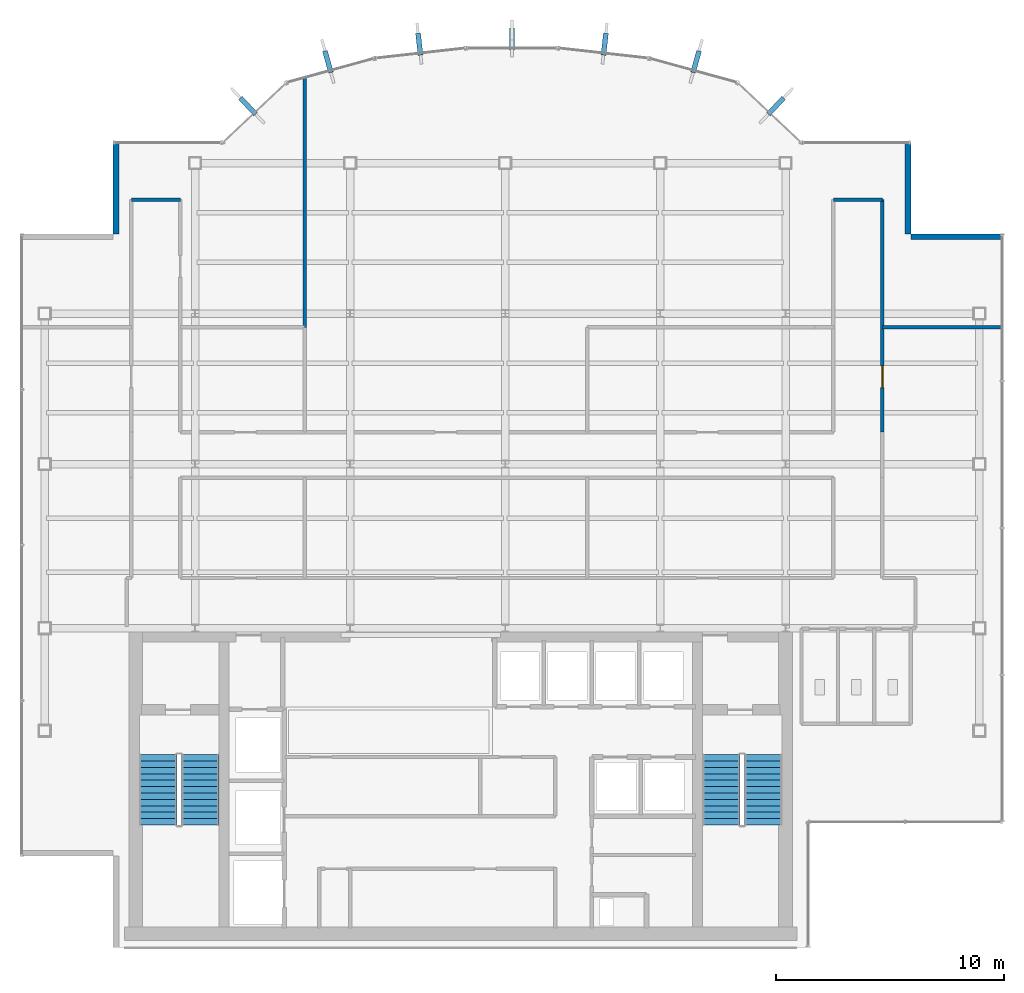
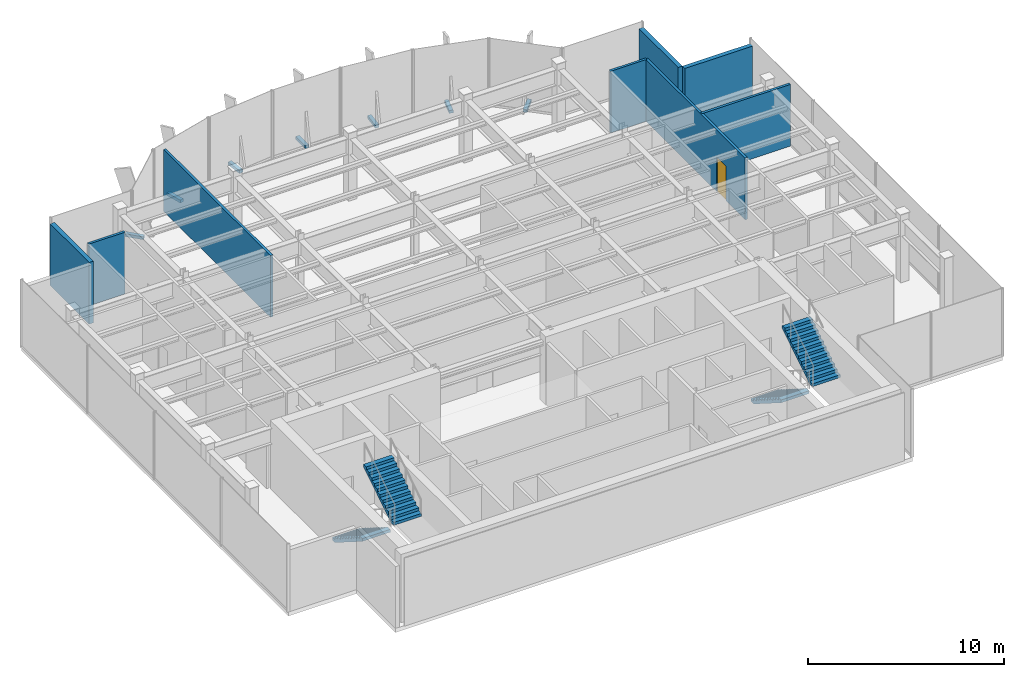
# One storey, part 21 of 24: 8 walls, 7 discrete accessories, 4 stair flights, 1 door, 1 opening, 2 elements without a shape of their own.
"""IFC4 building model written with IfcOpenShell, lengths in metres."""

from ifc_helpers import new_model, si_unit, derived_unit, direction, frame, frame_2d, origin, origin_2d, place, context, subcontext, project, spatial, polyline, rectangle, outline, extrude, source, transform, mapped, material, layer, layer_set, type_object, element, fill, aggregate, save


model = new_model("IFC4")

# Units and contexts
model_context = context("Model", 3, precision=1e-05, world=origin(), true_north=direction((0.0, 1.0)))
body_context = subcontext(model_context, "Body", "Model", "MODEL_VIEW")
ifc_project = project(units=[si_unit("LENGTHUNIT", "METRE"), si_unit("AREAUNIT", "SQUARE_METRE"), si_unit("VOLUMEUNIT", "CUBIC_METRE"), si_unit("PLANEANGLEUNIT", "RADIAN"), si_unit("MASSUNIT", "GRAM", prefix="KILO"), derived_unit("THERMALTRANSMITTANCEUNIT", [(si_unit("POWERUNIT", "WATT"), 1), (si_unit("LENGTHUNIT", "METRE"), -2), (si_unit("THERMODYNAMICTEMPERATUREUNIT", "KELVIN"), -1)])], contexts=[model_context])

# Site, building, storey
site_placement = place(None, origin())
site = spatial("IfcSite", under=ifc_project, at=site_placement, CompositionType="ELEMENT")
building_placement = place(site_placement, origin())
building = spatial("IfcBuilding", under=site, at=building_placement, Name="Skarnbrae Concourse Arena and Tower", CompositionType="ELEMENT")
storey_placement = place(building_placement, frame((0.0, 0.0, 288.0)))
storey = spatial("IfcBuildingStorey", under=building, at=storey_placement, Name="L75", CompositionType="ELEMENT", Elevation=288.0)

# Walls
ifc_material_1 = material(Name="Precast concrete 40 MPa (C40/50)", Category="concrete")
ifc_layer_1 = layer(ifc_material_1, 0.25)
ifc_layer_set_1 = layer_set([ifc_layer_1], Name="Precast concrete 40 MPa (C40/50)")
wall_type_1 = type_object("IfcWallType", Name="WALL-EXT-SPANDREL-250", PredefinedType="STANDARD", material=ifc_layer_set_1)
shared_shape_1 = source(origin(), body_context, "Body", "SweptSolid", [
    extrude(rectangle(XDim=4.0, YDim=0.25, at=frame_2d((2.0, 0.0))), origin(), (0.0, 0.0, 1.0), 3.85009765625),
])
for number, where, z_axis, x_axis, name in (
    (1, (43.0, 31.175048828125, 0.0), (0.0, 0.0, 1.0), (-1.0, 0.0, 0.0), "L75 Notched corner insulated return wall 05"),
    (2, (38.875, 31.300048828125, 0.0), (0.0, 0.0, 1.0), (0.0, 1.0, 0.0), "L75 Notched corner insulated return wall 06"),
    (3, (4.125, 35.300048828125, 0.0), (0.0, 0.0, 1.0), (0.0, -1.0, 0.0), "L75 Notched corner insulated return wall 16"),
):
    element("IfcWall", number, at=place(storey_placement, frame(where, z_axis=z_axis, x_axis=x_axis)), inside=storey, type_object=wall_type_1, Name=name, PredefinedType="STANDARD", context=body_context, shape_type="MappedRepresentation", body=[
        mapped(shared_shape_1, transform((0.0, 0.0, 0.0))),
    ])

# Wall, opening, door
ifc_material_2 = material(Name="Gypsum board on cold-formed steel studs", Category="steel")
ifc_layer_2 = layer(ifc_material_2, 0.14990234375)
ifc_layer_set_2 = layer_set([ifc_layer_2], Name="Gypsum board on cold-formed steel studs")
wall_type_2 = type_object("IfcWallType", Name="WALL-PART-150-1HR", PredefinedType="PARTITIONING", material=ifc_layer_set_2)
shared_shape_2 = source(origin(), body_context, "Body", "SweptSolid", [
    extrude(rectangle(XDim=10.199951171875, YDim=0.14990234375, at=frame_2d((5.10009765625, 0.0))), origin(), (0.0, 0.0, 1.0), 3.85009765625),
])
wall_1_placement = place(storey_placement, frame((37.75, 32.800048828125, 0.0), z_axis=(0.0, 0.0, 1.0), x_axis=(0.0, -1.0, 0.0)))
wall_1 = element("IfcWall", 4, at=wall_1_placement, inside=storey, type_object=wall_type_2, Name="L75 Interior partition wall W-L75-COR-11", PredefinedType="PARTITIONING", context=body_context, shape_type="MappedRepresentation", body=[
    mapped(shared_shape_2, transform((0.0, 0.0, 0.0))),
])
opening_placement = place(wall_1_placement, frame((7.294921875, 0.0, 0.0)))
opening = element("IfcOpeningElement", 5, at=opening_placement, cuts=wall_1, Name="Opening DT-04", PredefinedType="OPENING", context=body_context, shape_type="SweptSolid", body=[
    extrude(rectangle(XDim=0.949951171875, YDim=2.14990234375, at=frame_2d((0.47509765625, 1.074951171875))), frame((0.0, 0.0849609375, 0.0), z_axis=(0.0, -1.0, 0.0), x_axis=(1.0, 0.0, 0.0)), (0.0, 0.0, 1.0), 0.169921875),
])
ifc_material_3 = material(Name="Steel CSA G40.21 350W", Category="steel")
door_type = type_object("IfcDoorType", Name="DOOR-INT-950-45M", OperationType="NOTDEFINED", PredefinedType="DOOR", material=ifc_material_3)
shared_shape_3 = source(origin(), body_context, "Body", "SweptSolid", [
    extrude(rectangle(XDim=0.949951171875, YDim=2.14990234375, at=frame_2d((0.47509765625, 1.074951171875))), frame((0.0, 0.02490234375, 0.0), z_axis=(0.0, -1.0, 0.0), x_axis=(1.0, 0.0, 0.0)), (0.0, 0.0, 1.0), 0.050048828125),
])
door_placement = place(opening_placement, origin())
door = element("IfcDoor", 6, at=door_placement, inside=storey, type_object=door_type, Name="D-2292 L75 Suite Door 09", OperationType="SINGLE_SWING_RIGHT", OverallHeight=2.14990234375, OverallWidth=0.949951171875, PredefinedType="DOOR", context=body_context, shape_type="MappedRepresentation", body=[
    mapped(shared_shape_3, transform((0.0, 0.0, 0.0))),
])
fill(opening, door)

# Walls
shared_shape_4 = source(origin(), body_context, "Body", "SweptSolid", [
    extrude(rectangle(XDim=2.14990234375, YDim=0.14990234375, at=frame_2d((1.074951171875, 0.0))), origin(), (0.0, 0.0, 1.0), 3.85009765625),
])
for number, where, z_axis, x_axis, name in (
    (7, (4.800048828125, 32.800048828125, 0.0), (0.0, 0.0, 1.0), (1.0, 0.0, 0.0), "L75 Interior partition wall W-L75-COR-06"),
    (8, (35.60009765625, 32.800048828125, 0.0), (0.0, 0.0, 1.0), (1.0, 0.0, 0.0), "L75 Interior partition wall W-L75-COR-10"),
):
    element("IfcWall", number, at=place(storey_placement, frame(where, z_axis=z_axis, x_axis=x_axis)), inside=storey, type_object=wall_type_2, Name=name, PredefinedType="PARTITIONING", context=body_context, shape_type="MappedRepresentation", body=[
        mapped(shared_shape_4, transform((0.0, 0.0, 0.0))),
    ])
ifc_layer_3 = layer(ifc_material_2, 0.14990234375)
ifc_layer_set_3 = layer_set([ifc_layer_3], Name="Gypsum board on cold-formed steel studs")
wall_type_3 = type_object("IfcWallType", Name="WALL-PART-150", PredefinedType="PARTITIONING", material=ifc_layer_set_3)
shared_shape_5 = source(origin(), body_context, "Body", "SweptSolid", [
    extrude(rectangle(XDim=10.92919921875, YDim=0.14990234375, at=frame_2d((5.464599609375, 0.0))), origin(), (0.0, 0.0, 1.0), 3.85009765625),
])
wall_2_placement = place(storey_placement, frame((12.39990234375, 38.129150390625, 0.0), z_axis=(0.0, 0.0, 1.0), x_axis=(0.0, -1.0, 0.0)))
element("IfcWall", 9, at=wall_2_placement, inside=storey, type_object=wall_type_3, Name="L75 Interior partition wall W-L75-DEM-25", PredefinedType="PARTITIONING", context=body_context, shape_type="MappedRepresentation", body=[
    mapped(shared_shape_5, transform((0.0, 0.0, 0.0))),
])
shared_shape_6 = source(origin(), body_context, "Body", "SweptSolid", [
    extrude(rectangle(XDim=5.22998046875, YDim=0.14990234375, at=frame_2d((2.614990234375, 0.0))), origin(), (0.0, 0.0, 1.0), 3.85009765625),
])
wall_3_placement = place(storey_placement, frame((42.97998046875, 27.199951171875, 0.0), z_axis=(0.0, 0.0, 1.0), x_axis=(-1.0, 0.0, 0.0)))
element("IfcWall", 10, at=wall_3_placement, inside=storey, type_object=wall_type_3, Name="L75 Interior partition wall W-L75-DEM-30", PredefinedType="PARTITIONING", context=body_context, shape_type="MappedRepresentation", body=[
    mapped(shared_shape_6, transform((0.0, 0.0, 0.0))),
])

# Stair, stair flights
ifc_material_4 = material(Name="Concrete 40 MPa (C40/50)", Category="concrete")
stair_type = type_object("IfcStairType", Name="STAIR-DOGLEG-1650", PredefinedType="HALF_TURN_STAIR", material=ifc_material_4)
stair_1_placement = place(storey_placement, origin())
stair_1 = element("IfcStair", 11, at=stair_1_placement, inside=storey, type_object=stair_type, Name="L75 Protected Exit Stair ST-1", PredefinedType="HALF_TURN_STAIR")
stair_flight_type = type_object("IfcStairFlightType", Name="FLIGHT-STRAIGHT-1650", PredefinedType="STRAIGHT", material=ifc_material_4)
shared_shape_7 = source(origin(), body_context, "Body", "SweptSolid", [
    extrude(outline(polyline([(0.0, 0.0), (0.0, 0.177001953125), (0.280029296875, 0.177001953125), (0.280029296875, 0.354248046875), (0.56005859375, 0.354248046875), (0.56005859375, 0.53125), (0.840087890625, 0.53125), (0.840087890625, 0.708251953125), (1.1201171875, 0.708251953125), (1.1201171875, 0.885498046875), (1.39990234375, 0.885498046875), (1.39990234375, 1.0625), (1.679931640625, 1.0625), (1.679931640625, 1.239501953125), (1.9599609375, 1.239501953125), (1.9599609375, 1.416748046875), (2.239990234375, 1.416748046875), (2.239990234375, 1.59375), (2.52001953125, 1.59375), (2.52001953125, 1.770751953125), (2.800048828125, 1.770751953125), (2.800048828125, 1.947998046875), (3.080078125, 1.947998046875), (3.080078125, 2.125), (3.080078125, 1.7705078125), (0.280517578125, 0.0), (0.0, 0.0)])), frame((0.0, 0.824951171875, 0.0), z_axis=(0.0, -1.0, 0.0), x_axis=(1.0, 0.0, 0.0)), (0.0, 0.0, 1.0), 1.64990234375),
])
stair_flight_1_placement = place(storey_placement, frame((5.97509765625, 8.449951171875, 0.0), z_axis=(0.0, 0.0, 1.0), x_axis=(0.0, -1.0, 0.0)))
stair_flight_1 = element("IfcStairFlight", 12, at=stair_flight_1_placement, type_object=stair_flight_type, Name="ST-1 flight 1", NumberOfRisers=12, NumberOfTreads=11, PredefinedType="STRAIGHT", RiserHeight=0.177083333, TreadLength=0.28, context=body_context, shape_type="MappedRepresentation", body=[
    mapped(shared_shape_7, transform((0.0, 0.0, 0.0))),
])
stair_flight_2_placement = place(storey_placement, frame((7.824951171875, 5.3701171875, 2.125), z_axis=(0.0, 0.0, 1.0), x_axis=(0.0, 1.0, 0.0)))
stair_flight_2 = element("IfcStairFlight", 13, at=stair_flight_2_placement, type_object=stair_flight_type, Name="ST-1 flight 2", NumberOfRisers=12, NumberOfTreads=11, PredefinedType="STRAIGHT", RiserHeight=0.177083333, TreadLength=0.28, context=body_context, shape_type="MappedRepresentation", body=[
    mapped(shared_shape_7, transform((0.0, 0.0, 0.0))),
])
aggregate(stair_1, [stair_flight_1, stair_flight_2])

stair_2_placement = place(storey_placement, origin())
stair_2 = element("IfcStair", 14, at=stair_2_placement, inside=storey, type_object=stair_type, Name="L75 Protected Exit Stair ST-2", PredefinedType="HALF_TURN_STAIR")
stair_flight_3_placement = place(storey_placement, frame((30.675048828125, 8.449951171875, 0.0), z_axis=(0.0, 0.0, 1.0), x_axis=(0.0, -1.0, 0.0)))
stair_flight_3 = element("IfcStairFlight", 15, at=stair_flight_3_placement, type_object=stair_flight_type, Name="ST-2 flight 1", NumberOfRisers=12, NumberOfTreads=11, PredefinedType="STRAIGHT", RiserHeight=0.177083333, TreadLength=0.28, context=body_context, shape_type="MappedRepresentation", body=[
    mapped(shared_shape_7, transform((0.0, 0.0, 0.0))),
])
stair_flight_4_placement = place(storey_placement, frame((32.52490234375, 5.3701171875, 2.125), z_axis=(0.0, 0.0, 1.0), x_axis=(0.0, 1.0, 0.0)))
stair_flight_4 = element("IfcStairFlight", 16, at=stair_flight_4_placement, type_object=stair_flight_type, Name="ST-2 flight 2", NumberOfRisers=12, NumberOfTreads=11, PredefinedType="STRAIGHT", RiserHeight=0.177083333, TreadLength=0.28, context=body_context, shape_type="MappedRepresentation", body=[
    mapped(shared_shape_7, transform((0.0, 0.0, 0.0))),
])
aggregate(stair_2, [stair_flight_3, stair_flight_4])

# Discrete accessories
ifc_material_5 = material(Name="Bronze anodised aluminium 6063-T6", Category="aluminium")
discrete_accessory_type = type_object("IfcDiscreteAccessoryType", Name="ACC-FIN-BRACKET", PredefinedType="BRACKET", material=ifc_material_5)
shared_shape_8 = source(origin(), body_context, "Body", "SweptSolid", [
    extrude(rectangle(XDim=0.219970703125, YDim=0.97998046875, at=origin_2d()), origin(), (0.0, 0.0, 1.0), 0.179931640625),
])
for number, where, z_axis, x_axis, name in (
    (17, (33.0791015625, 36.904541015625, -0.02978515625), (0.0, 0.0, 1.0), (0.728131751529, -0.685437198009, 0.0), "L75 Bronze fin foot support bracket 08"),
    (18, (29.573974609375, 38.847412109375, -0.02978515625), (0.0, 0.0, 1.0), (0.964058316208, -0.265690728011, 0.0), "L75 Bronze fin foot support bracket 09"),
    (19, (25.566162109375, 39.619384765625, -0.02978515625), (0.0, 0.0, 1.0), (0.993769864509, -0.111451587667, 0.0), "L75 Bronze fin foot support bracket 10"),
    (20, (21.5, 39.8466796875, -0.02978515625), (0.0, 0.0, 1.0), (1.0, 0.0, 0.0), "L75 Bronze fin foot support bracket 11"),
    (21, (17.433837890625, 39.619384765625, -0.02978515625), (0.0, 0.0, 1.0), (0.993769864509, 0.111451587667, 0.0), "L75 Bronze fin foot support bracket 12"),
    (22, (13.426025390625, 38.847412109375, -0.02978515625), (0.0, 0.0, 1.0), (0.964058316208, 0.265690728011, 0.0), "L75 Bronze fin foot support bracket 13"),
    (23, (9.9208984375, 36.904541015625, -0.02978515625), (0.0, 0.0, 1.0), (0.728131751529, 0.685437198009, 0.0), "L75 Bronze fin foot support bracket 14"),
):
    element("IfcDiscreteAccessory", number, at=place(storey_placement, frame(where, z_axis=z_axis, x_axis=x_axis)), inside=storey, type_object=discrete_accessory_type, Name=name, PredefinedType="BRACKET", context=body_context, shape_type="MappedRepresentation", body=[
        mapped(shared_shape_8, transform((0.0, 0.0, 0.0))),
    ])

save(model, "model.ifc")
